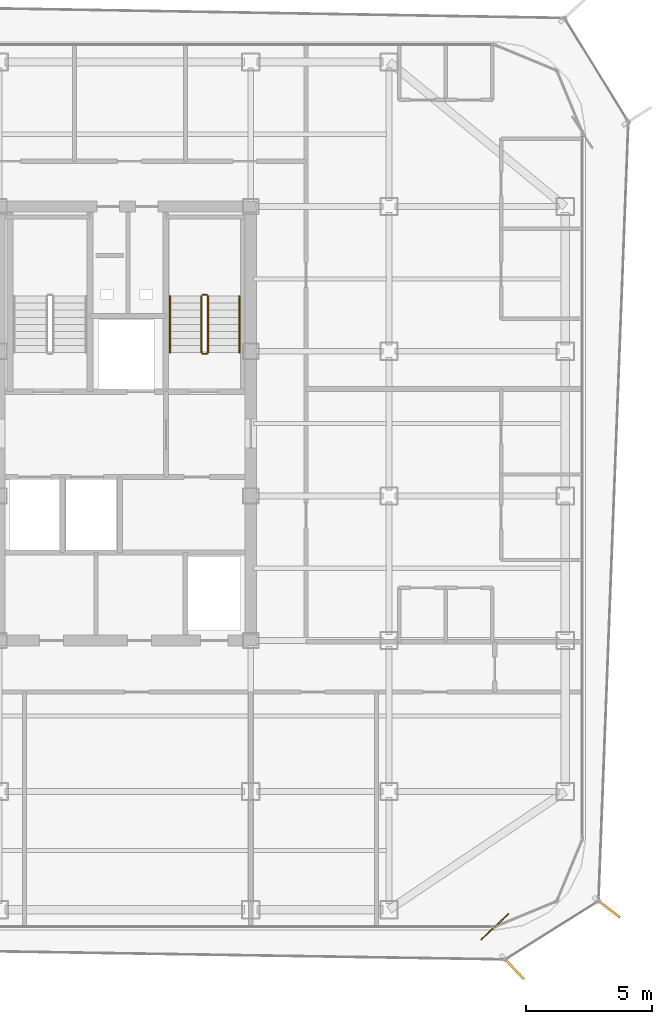
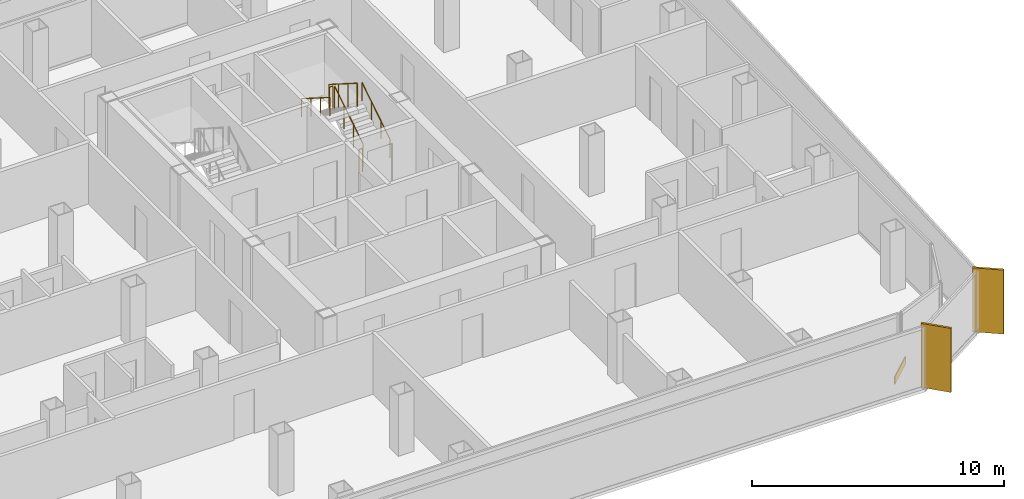
# One storey, part 14 of 15: 6 railings, 2 shading devices, 1 covering.
"""IFC4 building model written with IfcOpenShell, lengths in metres."""

from ifc_helpers import new_model, si_unit, direction, frame, origin, origin_2d, place, context, subcontext, project, spatial, rectangle, circle, extrude, source, transform, mapped, material, layer, layer_set, type_object, element, save


model = new_model("IFC4")

# Units and contexts
model_context = context("Model", 3, precision=1e-05, world=origin(), true_north=direction((0.0, 1.0)))
body_context = subcontext(model_context, "Body", "Model", "MODEL_VIEW")
ifc_project = project(units=[si_unit("LENGTHUNIT", "METRE"), si_unit("AREAUNIT", "SQUARE_METRE"), si_unit("VOLUMEUNIT", "CUBIC_METRE"), si_unit("PLANEANGLEUNIT", "RADIAN"), si_unit("MASSUNIT", "GRAM", prefix="KILO")], contexts=[model_context])

# Site, building, storey
site_placement = place(None, origin())
site = spatial("IfcSite", under=ifc_project, at=site_placement, CompositionType="ELEMENT")
building_placement = place(site_placement, origin())
building = spatial("IfcBuilding", under=site, at=building_placement, Name="Kolveth Station Tower", CompositionType="ELEMENT")
storey_placement = place(building_placement, frame((0.0, 0.0, 172.10009765625)))
storey = spatial("IfcBuildingStorey", under=building, at=storey_placement, Name="L48", CompositionType="ELEMENT", Elevation=172.10009765625)

# Railings
ifc_material_1 = material(Name="Painted Steel S355 balustrade", Category="steel")
railing_type_1 = type_object("IfcRailingType", Name="Guard_GR2", PredefinedType="BALUSTRADE", material=ifc_material_1)
railing_1_placement = place(storey_placement, frame((26.800048828125, 22.949951171875, 0.177734375)))
element("IfcRailing", 1, at=railing_1_placement, inside=storey, type_object=railing_type_1, Name="L48 ST2 stair guard 1", PredefinedType="BALUSTRADE", context=body_context, shape_type="SweptSolid", body=[
    extrude(circle(Radius=0.02392578125, at=origin_2d()), frame((0.0, 0.0, 1.1259765625), z_axis=(0.0, 0.8442293374, 0.53598211339), x_axis=(-1.0, 0.0, 0.0)), (0.0, 0.0, 1.0), 2.6533203125),
    extrude(circle(Radius=0.02099609375, at=origin_2d()), origin(), (0.0, 0.0, 1.0), 1.101806640625),
    extrude(circle(Radius=0.02099609375, at=origin_2d()), frame((0.0, 0.74658203125, 0.47412109375)), (0.0, 0.0, 1.0), 1.101806640625),
    extrude(circle(Radius=0.02099609375, at=origin_2d()), frame((0.0, 1.493408203125, 0.947998046875)), (0.0, 0.0, 1.0), 1.101806640625),
    extrude(circle(Radius=0.02099609375, at=origin_2d()), frame((0.0, 2.239990234375, 1.422119140625)), (0.0, 0.0, 1.0), 1.101806640625),
])
railing_2_placement = place(storey_placement, frame((26.75, 25.239990234375, 1.599853515625)))
element("IfcRailing", 2, at=railing_2_placement, inside=storey, type_object=railing_type_1, Name="L48 ST2 stair guard 2", PredefinedType="BALUSTRADE", context=body_context, shape_type="SweptSolid", body=[
    extrude(circle(Radius=0.02392578125, at=origin_2d()), frame((0.0, 0.0, 1.1259765625), z_axis=(-1.0, 0.0, 0.0), x_axis=(0.0, -1.0, 0.0)), (0.0, 0.0, 1.0), 0.159912109375),
    extrude(circle(Radius=0.02099609375, at=origin_2d()), origin(), (0.0, 0.0, 1.0), 1.101806640625),
    extrude(circle(Radius=0.02099609375, at=origin_2d()), frame((-0.159912109375, 0.0, 0.0)), (0.0, 0.0, 1.0), 1.101806640625),
])
railing_3_placement = place(storey_placement, frame((26.5400390625, 25.18994140625, 1.777587890625)))
element("IfcRailing", 3, at=railing_3_placement, inside=storey, type_object=railing_type_1, Name="L48 ST2 stair guard 3", PredefinedType="BALUSTRADE", context=body_context, shape_type="SweptSolid", body=[
    extrude(circle(Radius=0.02392578125, at=origin_2d()), frame((0.0, 0.0, 1.1259765625), z_axis=(0.0, -0.84418770128, 0.536047689118), x_axis=(1.0, 0.0, 0.0)), (0.0, 0.0, 1.0), 2.6533203125),
    extrude(circle(Radius=0.02099609375, at=origin_2d()), origin(), (0.0, 0.0, 1.0), 1.101806640625),
    extrude(circle(Radius=0.02099609375, at=origin_2d()), frame((0.0, -0.74658203125, 0.47412109375)), (0.0, 0.0, 1.0), 1.101806640625),
    extrude(circle(Radius=0.02099609375, at=origin_2d()), frame((0.0, -1.493408203125, 0.9482421875)), (0.0, 0.0, 1.0), 1.101806640625),
    extrude(circle(Radius=0.02099609375, at=origin_2d()), frame((0.0, -2.239990234375, 1.42236328125)), (0.0, 0.0, 1.0), 1.101806640625),
])
railing_4_placement = place(storey_placement, frame((26.75, 22.89990234375, 0.0)))
element("IfcRailing", 4, at=railing_4_placement, inside=storey, type_object=railing_type_1, Name="L48 ST2 stair guard 4", PredefinedType="BALUSTRADE", context=body_context, shape_type="SweptSolid", body=[
    extrude(circle(Radius=0.02392578125, at=origin_2d()), frame((0.0, 0.0, 1.1259765625), z_axis=(-1.0, 0.0, 0.0), x_axis=(0.0, -1.0, 0.0)), (0.0, 0.0, 1.0), 0.159912109375),
    extrude(circle(Radius=0.02099609375, at=origin_2d()), origin(), (0.0, 0.0, 1.0), 1.101806640625),
    extrude(circle(Radius=0.02099609375, at=origin_2d()), frame((-0.159912109375, 0.0, 0.0)), (0.0, 0.0, 1.0), 1.101806640625),
])
ifc_material_2 = material(Name="Brushed stainless steel", Category="steel")
railing_type_2 = type_object("IfcRailingType", Name="Handrail_HR1", PredefinedType="HANDRAIL", material=ifc_material_2)
railing_5_placement = place(storey_placement, frame((28.050048828125, 22.949951171875, 0.177734375)))
element("IfcRailing", 5, at=railing_5_placement, inside=storey, type_object=railing_type_2, Name="L48 ST2 stair handrail 1", PredefinedType="HANDRAIL", context=body_context, shape_type="SweptSolid", body=[
    extrude(circle(Radius=0.02392578125, at=origin_2d()), frame((0.0, 0.0, 0.8759765625), z_axis=(0.0, 0.8442293374, 0.53598211339), x_axis=(-1.0, 0.0, 0.0)), (0.0, 0.0, 1.0), 2.6533203125),
    extrude(circle(Radius=0.02099609375, at=origin_2d()), origin(), (0.0, 0.0, 1.0), 0.851806640625),
    extrude(circle(Radius=0.02099609375, at=origin_2d()), frame((0.0, 0.74658203125, 0.47412109375)), (0.0, 0.0, 1.0), 0.851806640625),
    extrude(circle(Radius=0.02099609375, at=origin_2d()), frame((0.0, 1.493408203125, 0.947998046875)), (0.0, 0.0, 1.0), 0.851806640625),
    extrude(circle(Radius=0.02099609375, at=origin_2d()), frame((0.0, 2.239990234375, 1.422119140625)), (0.0, 0.0, 1.0), 0.851806640625),
])
railing_6_placement = place(storey_placement, frame((25.2900390625, 25.18994140625, 1.777587890625)))
element("IfcRailing", 6, at=railing_6_placement, inside=storey, type_object=railing_type_2, Name="L48 ST2 stair handrail 2", PredefinedType="HANDRAIL", context=body_context, shape_type="SweptSolid", body=[
    extrude(circle(Radius=0.02392578125, at=origin_2d()), frame((0.0, 0.0, 0.8759765625), z_axis=(0.0, -0.84418770128, 0.536047689118), x_axis=(1.0, 0.0, 0.0)), (0.0, 0.0, 1.0), 2.6533203125),
    extrude(circle(Radius=0.02099609375, at=origin_2d()), origin(), (0.0, 0.0, 1.0), 0.851806640625),
    extrude(circle(Radius=0.02099609375, at=origin_2d()), frame((0.0, -0.74658203125, 0.47412109375)), (0.0, 0.0, 1.0), 0.851806640625),
    extrude(circle(Radius=0.02099609375, at=origin_2d()), frame((0.0, -1.493408203125, 0.9482421875)), (0.0, 0.0, 1.0), 0.851806640625),
    extrude(circle(Radius=0.02099609375, at=origin_2d()), frame((0.0, -2.239990234375, 1.42236328125)), (0.0, 0.0, 1.0), 0.851806640625),
])

# Shading devices
ifc_material_3 = material(Name="Black anodized aluminium 6063-T6", Category="aluminium")
shading_device_type = type_object("IfcShadingDeviceType", Name="FIN_VF1", PredefinedType="USERDEFINED", material=ifc_material_3)
shared_shape_1 = source(origin(), body_context, "Body", "SweptSolid", [
    extrude(rectangle(XDim=1.25, YDim=0.090087890625, at=origin_2d()), origin(), (0.0, 0.0, 1.0), 3.10009765625),
])
for number, where, z_axis, x_axis, name in (
    (7, (38.928955078125, -1.508056640625, -0.000244140625), (0.0, 0.0, 1.0), (0.685310104606, -0.728251371798, 0.0), "L48 Dark-Aluminium Solar Fin 1"),
    (8, (42.68408203125, 0.8740234375, -0.000244140625), (0.0, 0.0, 1.0), (0.792289643355, -0.610145163901, 0.0), "L48 Dark-Aluminium Solar Fin 2"),
):
    element("IfcShadingDevice", number, at=place(storey_placement, frame(where, z_axis=z_axis, x_axis=x_axis)), inside=storey, type_object=shading_device_type, Name=name, ObjectType="FIN", PredefinedType="USERDEFINED", context=body_context, shape_type="MappedRepresentation", body=[
        mapped(shared_shape_1, transform((0.0, 0.0, 0.0), x_axis=(1.0, 0.0, 0.0), y_axis=(0.0, 1.0, 0.0), z_axis=(0.0, 0.0, 1.0), scale=1.0)),
    ])

# Covering
ifc_material_4 = material(Name="Charcoal anodized aluminium spandrel cladding", Category="aluminium")
ifc_layer = layer(ifc_material_4, 0.044921875)
ifc_layer_set = layer_set([ifc_layer], Name="Charcoal anodized aluminium spandrel cladding")
covering_type = type_object("IfcCoveringType", Name="Clad_CD1", PredefinedType="CLADDING", material=ifc_layer_set)
shared_shape_2 = source(origin(), body_context, "Body", "SweptSolid", [
    extrude(rectangle(XDim=1.5, YDim=0.044921875, at=origin_2d()), origin(), (0.0, 0.0, 1.0), 0.360107421875),
])
covering_placement = place(storey_placement, frame((38.199951171875, 0.1201171875, 0.0), z_axis=(0.0, 0.0, 1.0), x_axis=(0.728251371798, 0.685310104606, 0.0)))
element("IfcCovering", 9, at=covering_placement, inside=storey, type_object=covering_type, Name="L48 Spandrel Edge Cladding 1", PredefinedType="CLADDING", context=body_context, shape_type="MappedRepresentation", body=[
    mapped(shared_shape_2, transform((0.0, 0.0, 0.0), x_axis=(1.0, 0.0, 0.0), y_axis=(0.0, 1.0, 0.0), z_axis=(0.0, 0.0, 1.0), scale=1.0)),
])

save(model, "model.ifc")
